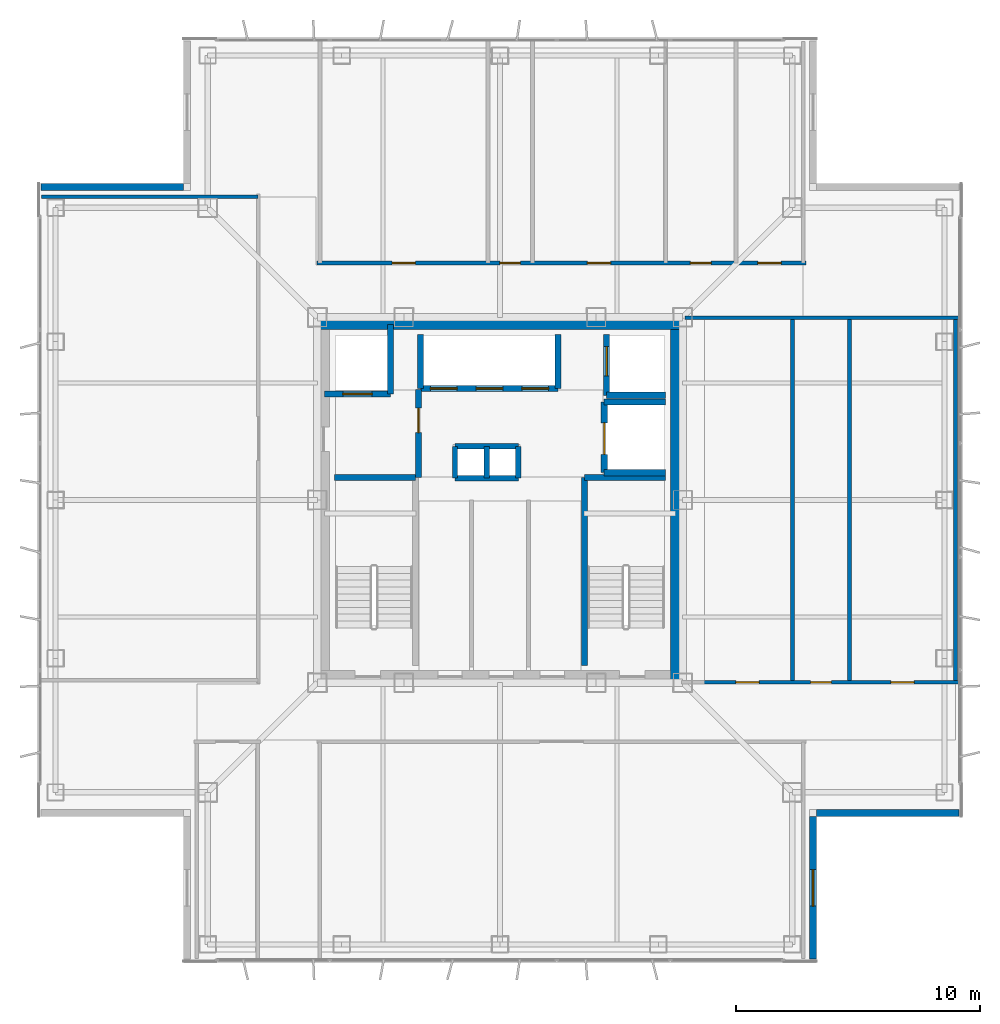
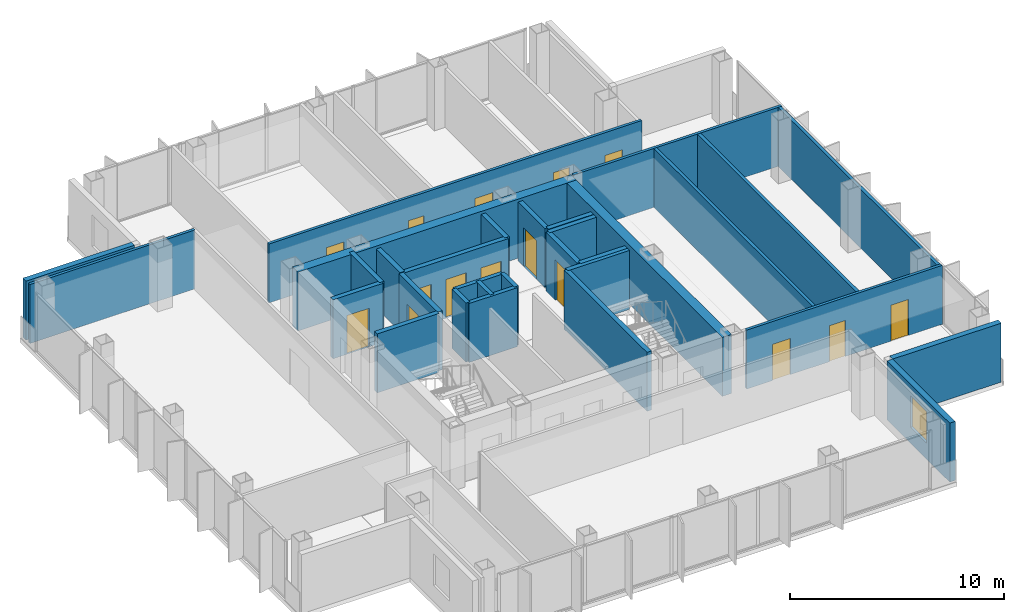
# One storey, part 8 of 15: 31 walls, 15 doors, 1 window, 16 openings.
"""IFC4 building model written with IfcOpenShell, lengths in metres."""

import ifcopenshell
import ifcopenshell.guid

model = None  # the IFC model being written
_history = None  # IfcOwnerHistory: only IFC2X3 demands one
_inside = {}  # id of a spatial element -> (the spatial element, [elements in it])
_under = {}  # id of a project, library or spatial element -> (it, [spatial elements below it])
_declared = {}  # id of a project -> (the project, [libraries it declares])
_typed = {}  # id of a type object -> (the type object, [elements of that type])
_made_of = {}  # id of a material, layer set ... -> (it, [elements and type objects made of it])


def new_model(schema):
    """Start an empty IFC model of exactly this schema.

    Asked for "IFC4X3", IfcOpenShell would pick the latest addendum, in which some entities
    have other attributes; the version numbers below select the first issue.
    IFC2X3 requires an IfcOwnerHistory on every rooted entity: one is made here for all.
    """
    global model, _history
    if schema == "IFC4X3":
        model = ifcopenshell.file(schema_version=(4, 3, 0, 0))
    else:
        model = ifcopenshell.file(schema=schema)
    _inside.clear()
    _under.clear()
    _declared.clear()
    _typed.clear()
    _made_of.clear()
    _history = None
    if model.schema == "IFC2X3":
        org = make("IfcOrganization", Name="unknown")
        user = make(
            "IfcPersonAndOrganization",
            ThePerson=make("IfcPerson", FamilyName="unknown"),
            TheOrganization=org,
        )
        app = make(
            "IfcApplication",
            ApplicationDeveloper=org,
            Version="unknown",
            ApplicationFullName="unknown",
            ApplicationIdentifier="unknown",
        )
        _history = make(
            "IfcOwnerHistory",
            OwningUser=user,
            OwningApplication=app,
            ChangeAction="ADDED",
            CreationDate=0,
        )
    return model


def make(cls, **values):
    """One entity of the class cls with the attributes given. An attribute that is None is left unset."""
    return model.create_entity(
        cls, **{name: value for name, value in values.items() if value is not None}
    )


def rooted(cls, **values):
    """An entity with a GlobalId (a new one), such as an element, a storey or a relation."""
    return make(cls, GlobalId=ifcopenshell.guid.new(), OwnerHistory=_history, **values)


def si_unit(unit_type, name, prefix=None):
    """IfcSIUnit, for example si_unit("LENGTHUNIT", "METRE", prefix="MILLI")."""
    return make("IfcSIUnit", UnitType=unit_type, Prefix=prefix, Name=name)


def assignment(units):
    """IfcUnitAssignment: the units of a project."""
    return None if units is None else make("IfcUnitAssignment", Units=units)


def point(xyz):
    """IfcCartesianPoint."""
    return None if xyz is None else make("IfcCartesianPoint", Coordinates=xyz)


def direction(xyz):
    """IfcDirection."""
    return None if xyz is None else make("IfcDirection", DirectionRatios=xyz)


def frame(location, z_axis=None, x_axis=None):
    """IfcAxis2Placement3D, a coordinate frame: its origin and axes. An axis left out is left unset."""
    return make(
        "IfcAxis2Placement3D",
        Location=point(location),
        Axis=direction(z_axis),
        RefDirection=direction(x_axis),
    )


def frame_2d(location, x_axis=None):
    """IfcAxis2Placement2D, a coordinate frame in the plane: its origin and x axis."""
    return make(
        "IfcAxis2Placement2D", Location=point(location), RefDirection=direction(x_axis)
    )


def origin():
    """The frame at (0, 0, 0) with its axes left unset."""
    return frame((0.0, 0.0, 0.0))


def place(relative_to, where):
    """IfcLocalPlacement: puts the frame where relative to a parent placement (None: the world)."""
    return make(
        "IfcLocalPlacement", PlacementRelTo=relative_to, RelativePlacement=where
    )


def context(
    kind, dimensions, precision=None, world=None, true_north=None, identifier=None
):
    """IfcGeometricRepresentationContext, for example the 3D "Model" context."""
    return make(
        "IfcGeometricRepresentationContext",
        ContextIdentifier=identifier,
        ContextType=kind,
        CoordinateSpaceDimension=dimensions,
        Precision=precision,
        WorldCoordinateSystem=world,
        TrueNorth=true_north,
    )


def subcontext(parent, identifier, kind, view, scale=None):
    """IfcGeometricRepresentationSubContext, for example "Body" below "Model"."""
    return make(
        "IfcGeometricRepresentationSubContext",
        ContextIdentifier=identifier,
        ContextType=kind,
        ParentContext=parent,
        TargetScale=scale,
        TargetView=view,
    )


def project(units=None, contexts=None):
    """IfcProject with its units and contexts."""
    return rooted(
        "IfcProject",
        Name="project",
        RepresentationContexts=contexts,
        UnitsInContext=assignment(units),
    )


def spatial(cls, under=None, at=None, **own):
    """A site, building, storey or space (cls), placed at a placement, below another one or the project."""
    s = rooted(cls, ObjectPlacement=at, **own)
    if under is not None:
        _under.setdefault(under.id(), (under, []))[1].append(s)
    return s


def profile(cls, at=None, kind="AREA", **sizes):
    """A parametric profile (cls). Its sizes go by their IFC names, for example OverallWidth=200.0."""
    return make(cls, ProfileType=kind, Position=at, **sizes)


def rectangle(**sizes):
    """IfcRectangleProfileDef."""
    return profile("IfcRectangleProfileDef", **sizes)


def extrude(swept, where, along, depth):
    """IfcExtrudedAreaSolid: the profile swept, set in the frame where, extruded along a direction by depth."""
    return make(
        "IfcExtrudedAreaSolid",
        SweptArea=swept,
        Position=where,
        ExtrudedDirection=direction(along),
        Depth=depth,
    )


def shape(context_of_items, identifier, shape_type, items):
    """IfcShapeRepresentation: the items that make up one representation, for example the "Body"."""
    return make(
        "IfcShapeRepresentation",
        ContextOfItems=context_of_items,
        RepresentationIdentifier=identifier,
        RepresentationType=shape_type,
        Items=items,
    )


def material(Name=None, Category=None):
    """IfcMaterial."""
    return make("IfcMaterial", Name=Name, Category=Category)


def layer(
    of_material, thickness, ventilated=None, Name=None, Category=None, Priority=None
):
    """IfcMaterialLayer: one layer of a wall or slab, of a material (None: an air gap)."""
    return make(
        "IfcMaterialLayer",
        Material=of_material,
        LayerThickness=thickness,
        IsVentilated=ventilated,
        Name=Name,
        Category=Category,
        Priority=Priority,
    )


def layer_set(layers, Name=None):
    """IfcMaterialLayerSet."""
    return make("IfcMaterialLayerSet", MaterialLayers=layers, LayerSetName=Name)


def made_of(thing, what):
    """Note that an element or type object is made of a material, layer set ...; save() writes the relation."""
    if what is not None:
        _made_of.setdefault(what.id(), (what, []))[1].append(thing)
    return thing


def type_object(cls, material=None, **own):
    """A type object (cls), such as IfcWallType, which elements share."""
    return made_of(rooted(cls, **own), material)


def element(
    cls,
    number,
    at=None,
    inside=None,
    cuts=None,
    type_object=None,
    material=None,
    context=None,
    identifier="Body",
    shape_type=None,
    held_by="IfcProductDefinitionShape",
    body=None,
    shapes=None,
    **own,
):
    """One element of the class cls, such as IfcWall. Its Tag is "e" and its number.

    at: its placement. inside: the storey or other place that contains it. cuts: it is an
    opening in that element (IfcRelVoidsElement). A single representation is given by context,
    identifier, shape_type and body (its items); several are given by shapes. held_by: the class
    of the entity that holds the representations. save() writes the other relations.
    """
    e = rooted(cls, Tag="e%d" % number, ObjectPlacement=at, **own)
    if body is not None:
        shapes = [shape(context, identifier, shape_type, body)]
    if shapes is not None:
        e.Representation = make(held_by, Representations=shapes)
    if inside is not None:
        _inside.setdefault(inside.id(), (inside, []))[1].append(e)
    if cuts is not None:
        rooted(
            "IfcRelVoidsElement", RelatingBuildingElement=cuts, RelatedOpeningElement=e
        )
    if type_object is not None:
        _typed.setdefault(type_object.id(), (type_object, []))[1].append(e)
    return made_of(e, material)


def fill(opening, filler):
    """IfcRelFillsElement: the door or window that sits in an opening."""
    return rooted(
        "IfcRelFillsElement",
        RelatingOpeningElement=opening,
        RelatedBuildingElement=filler,
    )


def aggregate(whole, parts):
    """IfcRelAggregates: a whole, such as a stair, and the parts it consists of."""
    return rooted("IfcRelAggregates", RelatingObject=whole, RelatedObjects=parts)


def save(model, path):
    """Write the relations noted so far, then the file.

    IfcRelAggregates (storeys below a building ...), IfcRelContainedInSpatialStructure (elements
    in a storey), IfcRelDefinesByType, IfcRelAssociatesMaterial and IfcRelDeclares: one each for
    every whole, place, type object, material and project.
    """
    for whole, parts in _under.values():
        aggregate(whole, parts)
    for where, things in _inside.values():
        rooted(
            "IfcRelContainedInSpatialStructure",
            RelatedElements=things,
            RelatingStructure=where,
        )
    for kind, things in _typed.values():
        rooted("IfcRelDefinesByType", RelatedObjects=things, RelatingType=kind)
    for what, things in _made_of.values():
        rooted("IfcRelAssociatesMaterial", RelatedObjects=things, RelatingMaterial=what)
    for by, libraries in _declared.values():
        rooted("IfcRelDeclares", RelatingContext=by, RelatedDefinitions=libraries)
    model.write(path)


model = new_model("IFC4")

# Units and contexts
model_context = context("Model", 3, precision=1e-05, world=origin(), true_north=direction((0.0, 1.0)))
body_context = subcontext(model_context, "Body", "Model", "MODEL_VIEW")
ifc_project = project(units=[si_unit("LENGTHUNIT", "METRE"), si_unit("AREAUNIT", "SQUARE_METRE"), si_unit("VOLUMEUNIT", "CUBIC_METRE"), si_unit("PLANEANGLEUNIT", "RADIAN"), si_unit("MASSUNIT", "GRAM", prefix="KILO")], contexts=[model_context])

# Site, building, storey
site_placement = place(None, origin())
site = spatial("IfcSite", under=ifc_project, at=site_placement, CompositionType="ELEMENT")
building_placement = place(site_placement, origin())
building = spatial("IfcBuilding", under=site, at=building_placement, Name="Trevonay Congress Spire", CompositionType="ELEMENT")
storey_placement = place(building_placement, frame((0.0, 0.0, 250.39990234375)))
storey = spatial("IfcBuildingStorey", under=building, at=storey_placement, Name="L65", CompositionType="ELEMENT", Elevation=250.39990234375)

# Walls
ifc_material_1 = material(Name="Concrete C50/60", Category="concrete")
ifc_layer_1 = layer(ifc_material_1, 0.5, Name="Concrete C50/60")
ifc_layer_set_1 = layer_set([ifc_layer_1], Name="Concrete C50/60")
wall_type_1 = type_object("IfcWallType", Name="WAL-CORE-500", PredefinedType="SHEAR", material=ifc_layer_set_1)
for number, where, z_axis, x_axis, name in (
    (1, (-7.5, 7.25, 0.0), (0.0, 0.0, 1.0), (1.0, 0.0, 0.0), "L65 North structural core shear wall"),
    (2, (7.25, -7.5, 0.0), (0.0, 0.0, 1.0), (0.0, 1.0, 0.0), "L65 East structural core shear wall"),
):
    element("IfcWall", number, at=place(storey_placement, frame(where, z_axis=z_axis, x_axis=x_axis)), inside=storey, type_object=wall_type_1, Name=name, PredefinedType="SHEAR", context=body_context, shape_type="SweptSolid", body=[
        extrude(rectangle(XDim=15.0, YDim=0.5, at=frame_2d((7.5, 0.0))), origin(), (0.0, 0.0, 1.0), 3.360107421875),
    ])

# Wall, openings, doors
ifc_material_2 = material(Name="Concrete C40/50", Category="concrete")
ifc_layer_2 = layer(ifc_material_2, 0.14990234375, Name="Concrete C40/50")
ifc_layer_set_2 = layer_set([ifc_layer_2], Name="Concrete C40/50")
wall_type_2 = type_object("IfcWallType", Name="WAL-CORR-150", PredefinedType="PARTITIONING", material=ifc_layer_set_2)
wall_1_placement = place(storey_placement, frame((-7.52001953125, 9.72998046875, 0.0), z_axis=(0.0, 0.0, 1.0), x_axis=(1.0, 0.0, 0.0)))
wall_1 = element("IfcWall", 3, at=wall_1_placement, inside=storey, type_object=wall_type_2, Name="L65 interior wall WP-L65N-COR", PredefinedType="PARTITIONING", context=body_context, shape_type="SweptSolid", body=[
    extrude(rectangle(XDim=20.090087890625, YDim=0.14990234375, at=frame_2d((10.044921875, 0.0))), origin(), (0.0, 0.0, 1.0), 3.360107421875),
])
opening_1_placement = place(wall_1_placement, frame((3.094970703125, 0.0, 0.0)))
opening_1 = element("IfcOpeningElement", 4, at=opening_1_placement, cuts=wall_1, Name="Opening D07", PredefinedType="OPENING", context=body_context, shape_type="SweptSolid", body=[
    extrude(rectangle(XDim=0.949951171875, YDim=2.06005859375, at=frame_2d((0.47509765625, 1.030029296875))), frame((0.0, 0.0849609375, 0.0), z_axis=(0.0, -1.0, 0.0), x_axis=(1.0, 0.0, 0.0)), (0.0, 0.0, 1.0), 0.169921875),
])
opening_2_placement = place(wall_1_placement, frame((7.510009765625, 0.0, 0.0)))
opening_2 = element("IfcOpeningElement", 5, at=opening_2_placement, cuts=wall_1, Name="Opening D10", PredefinedType="OPENING", context=body_context, shape_type="SweptSolid", body=[
    extrude(rectangle(XDim=0.85009765625, YDim=2.050048828125, at=frame_2d((0.425048828125, 1.02490234375))), frame((0.0, 0.0849609375, 0.0), z_axis=(0.0, -1.0, 0.0), x_axis=(1.0, 0.0, 0.0)), (0.0, 0.0, 1.0), 0.169921875),
])
opening_3_placement = place(wall_1_placement, frame((11.110107421875, 0.0, 0.0)))
opening_3 = element("IfcOpeningElement", 6, at=opening_3_placement, cuts=wall_1, Name="Opening D07", PredefinedType="OPENING", context=body_context, shape_type="SweptSolid", body=[
    extrude(rectangle(XDim=0.949951171875, YDim=2.06005859375, at=frame_2d((0.47509765625, 1.030029296875))), frame((0.0, 0.0849609375, 0.0), z_axis=(0.0, -1.0, 0.0), x_axis=(1.0, 0.0, 0.0)), (0.0, 0.0, 1.0), 0.169921875),
])
opening_4_placement = place(wall_1_placement, frame((15.3349609375, 0.0, 0.0)))
opening_4 = element("IfcOpeningElement", 7, at=opening_4_placement, cuts=wall_1, Name="Opening D10", PredefinedType="OPENING", context=body_context, shape_type="SweptSolid", body=[
    extrude(rectangle(XDim=0.85009765625, YDim=2.050048828125, at=frame_2d((0.425048828125, 1.02490234375))), frame((0.0, 0.0849609375, 0.0), z_axis=(0.0, -1.0, 0.0), x_axis=(1.0, 0.0, 0.0)), (0.0, 0.0, 1.0), 0.169921875),
])
opening_5_placement = place(wall_1_placement, frame((18.110107421875, 0.0, 0.0)))
opening_5 = element("IfcOpeningElement", 8, at=opening_5_placement, cuts=wall_1, Name="Opening D07", PredefinedType="OPENING", context=body_context, shape_type="SweptSolid", body=[
    extrude(rectangle(XDim=0.949951171875, YDim=2.06005859375, at=frame_2d((0.47509765625, 1.030029296875))), frame((0.0, 0.0849609375, 0.0), z_axis=(0.0, -1.0, 0.0), x_axis=(1.0, 0.0, 0.0)), (0.0, 0.0, 1.0), 0.169921875),
])
ifc_material_3 = material(Name="Pale Anodised Aluminium EN AW-6063-T6", Category="aluminium")
door_type_1 = type_object("IfcDoorType", Name="DOR-OFFICE-95", OperationType="NOTDEFINED", PredefinedType="DOOR", material=ifc_material_3)
door_1_placement = place(opening_1_placement, origin())
door_1 = element("IfcDoor", 9, at=door_1_placement, inside=storey, type_object=door_type_1, Name="L65 Simultaneous Translation Office Door", OperationType="SINGLE_SWING_LEFT", OverallHeight=2.06005859375, OverallWidth=0.949951171875, PredefinedType="DOOR", context=body_context, shape_type="SweptSolid", body=[
    extrude(rectangle(XDim=0.949951171875, YDim=2.06005859375, at=frame_2d((0.47509765625, 1.030029296875))), frame((0.0, 0.02490234375, 0.0), z_axis=(0.0, -1.0, 0.0), x_axis=(1.0, 0.0, 0.0)), (0.0, 0.0, 1.0), 0.050048828125),
])
fill(opening_1, door_1)
door_2_placement = place(opening_3_placement, origin())
door_2 = element("IfcDoor", 10, at=door_2_placement, inside=storey, type_object=door_type_1, Name="L65 Floor Supplies and Copy Room Door", OperationType="SINGLE_SWING_LEFT", OverallHeight=2.06005859375, OverallWidth=0.949951171875, PredefinedType="DOOR", context=body_context, shape_type="SweptSolid", body=[
    extrude(rectangle(XDim=0.949951171875, YDim=2.06005859375, at=frame_2d((0.47509765625, 1.030029296875))), frame((0.0, 0.02490234375, 0.0), z_axis=(0.0, -1.0, 0.0), x_axis=(1.0, 0.0, 0.0)), (0.0, 0.0, 1.0), 0.050048828125),
])
fill(opening_3, door_2)
door_3_placement = place(opening_5_placement, origin())
door_3 = element("IfcDoor", 11, at=door_3_placement, inside=storey, type_object=door_type_1, Name="L65 Floor Supplies and Copy Room Door", OperationType="SINGLE_SWING_LEFT", OverallHeight=2.06005859375, OverallWidth=0.949951171875, PredefinedType="DOOR", context=body_context, shape_type="SweptSolid", body=[
    extrude(rectangle(XDim=0.949951171875, YDim=2.06005859375, at=frame_2d((0.47509765625, 1.030029296875))), frame((0.0, 0.02490234375, 0.0), z_axis=(0.0, -1.0, 0.0), x_axis=(1.0, 0.0, 0.0)), (0.0, 0.0, 1.0), 0.050048828125),
])
fill(opening_5, door_3)
door_type_2 = type_object("IfcDoorType", Name="DOR-WC-85", OperationType="NOTDEFINED", PredefinedType="DOOR", material=ifc_material_3)
door_4_placement = place(opening_2_placement, origin())
door_4 = element("IfcDoor", 12, at=door_4_placement, inside=storey, type_object=door_type_2, Name="L65 Accessible WC Door", OperationType="SINGLE_SWING_RIGHT", OverallHeight=2.050048828125, OverallWidth=0.85009765625, PredefinedType="DOOR", context=body_context, shape_type="SweptSolid", body=[
    extrude(rectangle(XDim=0.85009765625, YDim=2.050048828125, at=frame_2d((0.425048828125, 1.02490234375))), frame((0.0, 0.02490234375, 0.0), z_axis=(0.0, -1.0, 0.0), x_axis=(1.0, 0.0, 0.0)), (0.0, 0.0, 1.0), 0.050048828125),
])
fill(opening_2, door_4)
door_5_placement = place(opening_4_placement, origin())
door_5 = element("IfcDoor", 13, at=door_5_placement, inside=storey, type_object=door_type_2, Name="L65 Female Restroom WC Door", OperationType="SINGLE_SWING_RIGHT", OverallHeight=2.050048828125, OverallWidth=0.85009765625, PredefinedType="DOOR", context=body_context, shape_type="SweptSolid", body=[
    extrude(rectangle(XDim=0.85009765625, YDim=2.050048828125, at=frame_2d((0.425048828125, 1.02490234375))), frame((0.0, 0.02490234375, 0.0), z_axis=(0.0, -1.0, 0.0), x_axis=(1.0, 0.0, 0.0)), (0.0, 0.0, 1.0), 0.050048828125),
])
fill(opening_4, door_5)

wall_2_placement = place(storey_placement, frame((8.280029296875, -7.47998046875, 0.0), z_axis=(0.0, 0.0, 1.0), x_axis=(1.0, 0.0, 0.0)))
wall_2 = element("IfcWall", 14, at=wall_2_placement, inside=storey, type_object=wall_type_2, Name="L65 interior wall WP-L65E-COR", PredefinedType="PARTITIONING", context=body_context, shape_type="SweptSolid", body=[
    extrude(rectangle(XDim=10.5400390625, YDim=0.14990234375, at=frame_2d((5.27001953125, 0.0))), origin(), (0.0, 0.0, 1.0), 3.360107421875),
])
opening_6_placement = place(wall_2_placement, frame((1.405029296875, 0.0, 0.0)))
opening_6 = element("IfcOpeningElement", 15, at=opening_6_placement, cuts=wall_2, Name="Opening D07", PredefinedType="OPENING", context=body_context, shape_type="SweptSolid", body=[
    extrude(rectangle(XDim=0.949951171875, YDim=2.06005859375, at=frame_2d((0.47509765625, 1.030029296875))), frame((0.0, 0.0849609375, 0.0), z_axis=(0.0, -1.0, 0.0), x_axis=(1.0, 0.0, 0.0)), (0.0, 0.0, 1.0), 0.169921875),
])
opening_7_placement = place(wall_2_placement, frame((4.469970703125, 0.0, 0.0)))
opening_7 = element("IfcOpeningElement", 16, at=opening_7_placement, cuts=wall_2, Name="Opening D10", PredefinedType="OPENING", context=body_context, shape_type="SweptSolid", body=[
    extrude(rectangle(XDim=0.85009765625, YDim=2.050048828125, at=frame_2d((0.425048828125, 1.02490234375))), frame((0.0, 0.0849609375, 0.0), z_axis=(0.0, -1.0, 0.0), x_axis=(1.0, 0.0, 0.0)), (0.0, 0.0, 1.0), 0.169921875),
])
opening_8_placement = place(wall_2_placement, frame((7.77001953125, 0.0, 0.0)))
opening_8 = element("IfcOpeningElement", 17, at=opening_8_placement, cuts=wall_2, Name="Opening D07", PredefinedType="OPENING", context=body_context, shape_type="SweptSolid", body=[
    extrude(rectangle(XDim=0.949951171875, YDim=2.06005859375, at=frame_2d((0.47509765625, 1.030029296875))), frame((0.0, 0.0849609375, 0.0), z_axis=(0.0, -1.0, 0.0), x_axis=(1.0, 0.0, 0.0)), (0.0, 0.0, 1.0), 0.169921875),
])
door_6_placement = place(opening_6_placement, origin())
door_6 = element("IfcDoor", 18, at=door_6_placement, inside=storey, type_object=door_type_1, Name="L65 Delegate Coffee Pantry Door", OperationType="SINGLE_SWING_RIGHT", OverallHeight=2.06005859375, OverallWidth=0.949951171875, PredefinedType="DOOR", context=body_context, shape_type="SweptSolid", body=[
    extrude(rectangle(XDim=0.949951171875, YDim=2.06005859375, at=frame_2d((0.47509765625, 1.030029296875))), frame((0.0, 0.02490234375, 0.0), z_axis=(0.0, -1.0, 0.0), x_axis=(1.0, 0.0, 0.0)), (0.0, 0.0, 1.0), 0.050048828125),
])
fill(opening_6, door_6)
door_7_placement = place(opening_8_placement, origin())
door_7 = element("IfcDoor", 19, at=door_7_placement, inside=storey, type_object=door_type_1, Name="L65 Floor Supplies and Copy Room Door", OperationType="SINGLE_SWING_RIGHT", OverallHeight=2.06005859375, OverallWidth=0.949951171875, PredefinedType="DOOR", context=body_context, shape_type="SweptSolid", body=[
    extrude(rectangle(XDim=0.949951171875, YDim=2.06005859375, at=frame_2d((0.47509765625, 1.030029296875))), frame((0.0, 0.02490234375, 0.0), z_axis=(0.0, -1.0, 0.0), x_axis=(1.0, 0.0, 0.0)), (0.0, 0.0, 1.0), 0.050048828125),
])
fill(opening_8, door_7)
door_8_placement = place(opening_7_placement, origin())
door_8 = element("IfcDoor", 20, at=door_8_placement, inside=storey, type_object=door_type_2, Name="L65 Male Restroom WC Door", OperationType="SINGLE_SWING_LEFT", OverallHeight=2.050048828125, OverallWidth=0.85009765625, PredefinedType="DOOR", context=body_context, shape_type="SweptSolid", body=[
    extrude(rectangle(XDim=0.85009765625, YDim=2.050048828125, at=frame_2d((0.425048828125, 1.02490234375))), frame((0.0, 0.02490234375, 0.0), z_axis=(0.0, -1.0, 0.0), x_axis=(1.0, 0.0, 0.0)), (0.0, 0.0, 1.0), 0.050048828125),
])
fill(opening_7, door_8)

# Wall, opening, window
ifc_material_4 = material(Name="Precast concrete C40/50", Category="concrete")
ifc_layer_3 = layer(ifc_material_4, 0.300048828125, Name="Precast concrete C40/50")
ifc_layer_set_3 = layer_set([ifc_layer_3], Name="Precast concrete C40/50")
wall_type_3 = type_object("IfcWallType", Name="WAL-EXT-PRECAST-300", PredefinedType="SOLIDWALL", material=ifc_layer_set_3)
wall_3_placement = place(storey_placement, frame((12.85009765625, -18.85009765625, 0.0), z_axis=(0.0, 0.0, 1.0), x_axis=(0.0, 1.0, 0.0)))
wall_3 = element("IfcWall", 21, at=wall_3_placement, inside=storey, type_object=wall_type_3, Name="L65 SE re-entrant notch exterior wall 1", PredefinedType="SOLIDWALL", context=body_context, shape_type="SweptSolid", body=[
    extrude(rectangle(XDim=5.85009765625, YDim=0.300048828125, at=frame_2d((2.925048828125, 0.0))), origin(), (0.0, 0.0, 1.0), 3.360107421875),
])
opening_9_placement = place(wall_3_placement, frame((2.175048828125, 0.0, 0.89990234375)))
opening_9 = element("IfcOpeningElement", 22, at=opening_9_placement, cuts=wall_3, Name="Opening WN03", PredefinedType="OPENING", context=body_context, shape_type="SweptSolid", body=[
    extrude(rectangle(XDim=1.5, YDim=1.800048828125, at=frame_2d((0.75, 0.89990234375))), frame((0.0, 0.16015625, 0.0), z_axis=(0.0, -1.0, 0.0), x_axis=(1.0, 0.0, 0.0)), (0.0, 0.0, 1.0), 0.320068359375),
])
ifc_material_5 = material(Name="Insulated Low-E Vision Glass IGU", Category="glass")
window_type = type_object("IfcWindowType", Name="WIN-NOTCH-150X180", PartitioningType="SINGLE_PANEL", PredefinedType="WINDOW", material=ifc_material_5)
window_placement = place(opening_9_placement, origin())
window = element("IfcWindow", 23, at=window_placement, inside=storey, type_object=window_type, Name="L65 SE corner notch window", OverallHeight=1.800048828125, OverallWidth=1.5, PartitioningType="SINGLE_PANEL", PredefinedType="WINDOW", context=body_context, shape_type="SweptSolid", body=[
    extrude(rectangle(XDim=1.5, YDim=1.800048828125, at=frame_2d((0.75, 0.89990234375))), frame((0.0, 0.030029296875, 0.0), z_axis=(0.0, -1.0, 0.0), x_axis=(1.0, 0.0, 0.0)), (0.0, 0.0, 1.0), 0.06005859375),
])
fill(opening_9, window)

# Walls
for number, where, z_axis, x_axis, name in (
    (24, (18.85009765625, -12.85009765625, 0.0), (0.0, 0.0, 1.0), (-1.0, 0.0, 0.0), "L65 SE re-entrant notch exterior wall 2"),
    (25, (-18.85009765625, 12.85009765625, 0.0), (0.0, 0.0, 1.0), (1.0, 0.0, 0.0), "L65 NW re-entrant notch exterior wall 2"),
):
    element("IfcWall", number, at=place(storey_placement, frame(where, z_axis=z_axis, x_axis=x_axis)), inside=storey, type_object=wall_type_3, Name=name, PredefinedType="SOLIDWALL", context=body_context, shape_type="SweptSolid", body=[
        extrude(rectangle(XDim=5.85009765625, YDim=0.300048828125, at=frame_2d((2.925048828125, 0.0))), origin(), (0.0, 0.0, 1.0), 3.360107421875),
    ])
ifc_layer_4 = layer(ifc_material_2, 0.14990234375, Name="Concrete C40/50")
ifc_layer_set_4 = layer_set([ifc_layer_4], Name="Concrete C40/50")
wall_type_4 = type_object("IfcWallType", Name="WAL-PART-150", PredefinedType="PARTITIONING", material=ifc_layer_set_4)
wall_4_placement = place(storey_placement, frame((-18.820068359375, 12.449951171875, 0.0), z_axis=(0.0, 0.0, 1.0), x_axis=(1.0, 0.0, 0.0)))
element("IfcWall", 26, at=wall_4_placement, inside=storey, type_object=wall_type_4, Name="L65 interior wall WP-L65NW-DIV2", PredefinedType="PARTITIONING", context=body_context, shape_type="SweptSolid", body=[
    extrude(rectangle(XDim=8.89013671875, YDim=0.14990234375, at=frame_2d((4.445068359375, 0.0))), origin(), (0.0, 0.0, 1.0), 3.360107421875),
])
wall_5_placement = place(storey_placement, frame((7.60009765625, 7.47998046875, 0.0), z_axis=(0.0, 0.0, 1.0), x_axis=(1.0, 0.0, 0.0)))
element("IfcWall", 27, at=wall_5_placement, inside=storey, type_object=wall_type_4, Name="L65 interior wall WP-L65E-NCLS", PredefinedType="PARTITIONING", context=body_context, shape_type="SweptSolid", body=[
    extrude(rectangle(XDim=11.219970703125, YDim=0.14990234375, at=frame_2d((5.60986328125, 0.0))), origin(), (0.0, 0.0, 1.0), 3.360107421875),
])
ifc_layer_5 = layer(ifc_material_2, 0.219970703125, Name="Concrete C40/50")
ifc_layer_set_5 = layer_set([ifc_layer_5], Name="Concrete C40/50")
wall_type_5 = type_object("IfcWallType", Name="WAL-SHAFT-220", PredefinedType="PARTITIONING", material=ifc_layer_set_5)
for number, where, z_axis, x_axis, name in (
    (28, (-1.85009765625, 2.199951171875, 0.0), (0.0, 0.0, 1.0), (1.0, 0.0, 0.0), "L65 interior shaft wall WSH-L65-RSR-N"),
    (29, (-1.85009765625, 0.89990234375, 0.0), (0.0, 0.0, 1.0), (1.0, 0.0, 0.0), "L65 interior shaft wall WSH-L65-RSR-S"),
):
    element("IfcWall", number, at=place(storey_placement, frame(where, z_axis=z_axis, x_axis=x_axis)), inside=storey, type_object=wall_type_5, Name=name, PredefinedType="PARTITIONING", context=body_context, shape_type="SweptSolid", body=[
        extrude(rectangle(XDim=2.60009765625, YDim=0.219970703125, at=frame_2d((1.300048828125, 0.0))), origin(), (0.0, 0.0, 1.0), 3.360107421875),
    ])
for number, where, z_axis, x_axis, name in (
    (30, (-0.550048828125, 0.89990234375, 0.0), (0.0, 0.0, 1.0), (0.0, 1.0, 0.0), "L65 interior shaft wall WSH-L65-RSR-M"),
    (31, (0.75, 0.89990234375, 0.0), (0.0, 0.0, 1.0), (0.0, 1.0, 0.0), "L65 interior shaft wall WSH-L65-RSR-E"),
    (32, (-1.85009765625, 0.89990234375, 0.0), (0.0, 0.0, 1.0), (0.0, 1.0, 0.0), "L65 interior shaft wall WSH-L65-RSR-W"),
):
    element("IfcWall", number, at=place(storey_placement, frame(where, z_axis=z_axis, x_axis=x_axis)), inside=storey, type_object=wall_type_5, Name=name, PredefinedType="PARTITIONING", context=body_context, shape_type="SweptSolid", body=[
        extrude(rectangle(XDim=1.300048828125, YDim=0.219970703125, at=frame_2d((0.64990234375, 0.0))), origin(), (0.0, 0.0, 1.0), 3.360107421875),
    ])

# Wall, openings, doors
ifc_layer_6 = layer(ifc_material_2, 0.25, Name="Concrete C40/50")
ifc_layer_set_6 = layer_set([ifc_layer_6], Name="Concrete C40/50")
wall_type_6 = type_object("IfcWallType", Name="WAL-SHAFT-250", PredefinedType="SHEAR", material=ifc_layer_set_6)
wall_6_placement = place(storey_placement, frame((-3.260009765625, 4.580078125, 0.0), z_axis=(0.0, 0.0, 1.0), x_axis=(1.0, 0.0, 0.0)))
wall_6 = element("IfcWall", 33, at=wall_6_placement, inside=storey, type_object=wall_type_6, Name="L65 interior shaft wall WSH-L65-B3-S", PredefinedType="SHEAR", context=body_context, shape_type="SweptSolid", body=[
    extrude(rectangle(XDim=5.639892578125, YDim=0.25, at=frame_2d((2.81982421875, 0.0))), origin(), (0.0, 0.0, 1.0), 3.360107421875),
])
opening_10_placement = place(wall_6_placement, frame((0.39990234375, 0.0, 0.0)))
opening_10 = element("IfcOpeningElement", 34, at=opening_10_placement, cuts=wall_6, Name="Opening LD03", PredefinedType="OPENING", context=body_context, shape_type="SweptSolid", body=[
    extrude(rectangle(XDim=1.10009765625, YDim=2.199951171875, at=frame_2d((0.550048828125, 1.10009765625))), frame((0.0, 0.135009765625, 0.0), z_axis=(0.0, -1.0, 0.0), x_axis=(1.0, 0.0, 0.0)), (0.0, 0.0, 1.0), 0.27001953125),
])
opening_11_placement = place(wall_6_placement, frame((2.280029296875, 0.0, 0.0)))
opening_11 = element("IfcOpeningElement", 35, at=opening_11_placement, cuts=wall_6, Name="Opening LD03", PredefinedType="OPENING", context=body_context, shape_type="SweptSolid", body=[
    extrude(rectangle(XDim=1.10009765625, YDim=2.199951171875, at=frame_2d((0.550048828125, 1.10009765625))), frame((0.0, 0.135009765625, 0.0), z_axis=(0.0, -1.0, 0.0), x_axis=(1.0, 0.0, 0.0)), (0.0, 0.0, 1.0), 0.27001953125),
])
opening_12_placement = place(wall_6_placement, frame((4.159912109375, 0.0, 0.0)))
opening_12 = element("IfcOpeningElement", 36, at=opening_12_placement, cuts=wall_6, Name="Opening LD03", PredefinedType="OPENING", context=body_context, shape_type="SweptSolid", body=[
    extrude(rectangle(XDim=1.10009765625, YDim=2.199951171875, at=frame_2d((0.550048828125, 1.10009765625))), frame((0.0, 0.135009765625, 0.0), z_axis=(0.0, -1.0, 0.0), x_axis=(1.0, 0.0, 0.0)), (0.0, 0.0, 1.0), 0.27001953125),
])
door_type_3 = type_object("IfcDoorType", Name="DOR-LIFT-LD03", OperationType="DOUBLE_DOOR_SLIDING", PredefinedType="DOOR", material=ifc_material_3)
door_9_placement = place(opening_10_placement, origin())
door_9 = element("IfcDoor", 37, at=door_9_placement, inside=storey, type_object=door_type_3, Name="L65 Passenger lift PL-07 landing door", OperationType="DOUBLE_DOOR_SLIDING", OverallHeight=2.199951171875, OverallWidth=1.10009765625, PredefinedType="DOOR", context=body_context, shape_type="SweptSolid", body=[
    extrude(rectangle(XDim=1.10009765625, YDim=2.199951171875, at=frame_2d((0.550048828125, 1.10009765625))), frame((0.0, 0.02490234375, 0.0), z_axis=(0.0, -1.0, 0.0), x_axis=(1.0, 0.0, 0.0)), (0.0, 0.0, 1.0), 0.050048828125),
])
fill(opening_10, door_9)
door_10_placement = place(opening_11_placement, origin())
door_10 = element("IfcDoor", 38, at=door_10_placement, inside=storey, type_object=door_type_3, Name="L65 Passenger lift PL-08 landing door", OperationType="DOUBLE_DOOR_SLIDING", OverallHeight=2.199951171875, OverallWidth=1.10009765625, PredefinedType="DOOR", context=body_context, shape_type="SweptSolid", body=[
    extrude(rectangle(XDim=1.10009765625, YDim=2.199951171875, at=frame_2d((0.550048828125, 1.10009765625))), frame((0.0, 0.02490234375, 0.0), z_axis=(0.0, -1.0, 0.0), x_axis=(1.0, 0.0, 0.0)), (0.0, 0.0, 1.0), 0.050048828125),
])
fill(opening_11, door_10)
door_11_placement = place(opening_12_placement, origin())
door_11 = element("IfcDoor", 39, at=door_11_placement, inside=storey, type_object=door_type_3, Name="L65 Passenger lift PL-09 landing door", OperationType="DOUBLE_DOOR_SLIDING", OverallHeight=2.199951171875, OverallWidth=1.10009765625, PredefinedType="DOOR", context=body_context, shape_type="SweptSolid", body=[
    extrude(rectangle(XDim=1.10009765625, YDim=2.199951171875, at=frame_2d((0.550048828125, 1.10009765625))), frame((0.0, 0.02490234375, 0.0), z_axis=(0.0, -1.0, 0.0), x_axis=(1.0, 0.0, 0.0)), (0.0, 0.0, 1.0), 0.050048828125),
])
fill(opening_12, door_11)

# Walls
for number, where, z_axis, x_axis, name in (
    (40, (-3.260009765625, 4.580078125, 0.0), (0.0, 0.0, 1.0), (0.0, 1.0, 0.0), "L65 interior shaft wall WSH-L65-B3-W"),
    (41, (2.3798828125, 4.580078125, 0.0), (0.0, 0.0, 1.0), (0.0, 1.0, 0.0), "L65 interior shaft wall WSH-L65-B3-E"),
):
    element("IfcWall", number, at=place(storey_placement, frame(where, z_axis=z_axis, x_axis=x_axis)), inside=storey, type_object=wall_type_6, Name=name, PredefinedType="SHEAR", context=body_context, shape_type="SweptSolid", body=[
        extrude(rectangle(XDim=2.219970703125, YDim=0.25, at=frame_2d((1.10986328125, 0.0))), origin(), (0.0, 0.0, 1.0), 3.360107421875),
    ])

# Wall, opening, door
wall_7_placement = place(storey_placement, frame((-7.199951171875, 4.35009765625, 0.0), z_axis=(0.0, 0.0, 1.0), x_axis=(1.0, 0.0, 0.0)))
wall_7 = element("IfcWall", 42, at=wall_7_placement, inside=storey, type_object=wall_type_6, Name="L65 interior shaft wall WSH-L65-FF1-S", PredefinedType="SHEAR", context=body_context, shape_type="SweptSolid", body=[
    extrude(rectangle(XDim=2.699951171875, YDim=0.25, at=frame_2d((1.35009765625, 0.0))), origin(), (0.0, 0.0, 1.0), 3.360107421875),
])
opening_13_placement = place(wall_7_placement, frame((0.75, 0.0, 0.0)))
opening_13 = element("IfcOpeningElement", 43, at=opening_13_placement, cuts=wall_7, Name="Opening LD04", PredefinedType="OPENING", context=body_context, shape_type="SweptSolid", body=[
    extrude(rectangle(XDim=1.199951171875, YDim=2.199951171875, at=frame_2d((0.60009765625, 1.10009765625))), frame((0.0, 0.135009765625, 0.0), z_axis=(0.0, -1.0, 0.0), x_axis=(1.0, 0.0, 0.0)), (0.0, 0.0, 1.0), 0.27001953125),
])
ifc_material_6 = material(Name="Steel ASTM A572 Grade 50", Category="steel")
door_type_4 = type_object("IfcDoorType", Name="DOR-LIFT-LD04", OperationType="DOUBLE_DOOR_SLIDING", PredefinedType="DOOR", material=ifc_material_6)
door_12_placement = place(opening_13_placement, origin())
door_12 = element("IfcDoor", 44, at=door_12_placement, inside=storey, type_object=door_type_4, Name="L65 Firefighting lift FFL-01 landing door", OperationType="DOUBLE_DOOR_SLIDING", OverallHeight=2.199951171875, OverallWidth=1.199951171875, PredefinedType="DOOR", context=body_context, shape_type="SweptSolid", body=[
    extrude(rectangle(XDim=1.199951171875, YDim=2.199951171875, at=frame_2d((0.60009765625, 1.10009765625))), frame((0.0, 0.02490234375, 0.0), z_axis=(0.0, -1.0, 0.0), x_axis=(1.0, 0.0, 0.0)), (0.0, 0.0, 1.0), 0.050048828125),
])
fill(opening_13, door_12)

# Walls
wall_8_placement = place(storey_placement, frame((-4.5, 4.35009765625, 0.0), z_axis=(0.0, 0.0, 1.0), x_axis=(0.0, 1.0, 0.0)))
element("IfcWall", 45, at=wall_8_placement, inside=storey, type_object=wall_type_6, Name="L65 interior shaft wall WSH-L65-FF1-E", PredefinedType="SHEAR", context=body_context, shape_type="SweptSolid", body=[
    extrude(rectangle(XDim=2.849853515625, YDim=0.25, at=frame_2d((1.4248046875, 0.0))), origin(), (0.0, 0.0, 1.0), 3.360107421875),
])
wall_9_placement = place(storey_placement, frame((4.3798828125, 4.300048828125, 0.0), z_axis=(0.0, 0.0, 1.0), x_axis=(1.0, 0.0, 0.0)))
element("IfcWall", 46, at=wall_9_placement, inside=storey, type_object=wall_type_6, Name="L65 interior shaft wall WSH-L65-FF2-S", PredefinedType="SHEAR", context=body_context, shape_type="SweptSolid", body=[
    extrude(rectangle(XDim=2.420166015625, YDim=0.25, at=frame_2d((1.2099609375, 0.0))), origin(), (0.0, 0.0, 1.0), 3.360107421875),
])

# Wall, opening, door
wall_10_placement = place(storey_placement, frame((4.3798828125, 4.300048828125, 0.0), z_axis=(0.0, 0.0, 1.0), x_axis=(0.0, 1.0, 0.0)))
wall_10 = element("IfcWall", 47, at=wall_10_placement, inside=storey, type_object=wall_type_6, Name="L65 interior shaft wall WSH-L65-FF2-W", PredefinedType="SHEAR", context=body_context, shape_type="SweptSolid", body=[
    extrude(rectangle(XDim=2.5, YDim=0.25, at=frame_2d((1.25, 0.0))), origin(), (0.0, 0.0, 1.0), 3.360107421875),
])
opening_14_placement = place(wall_10_placement, frame((0.800048828125, 0.0, 0.0)))
opening_14 = element("IfcOpeningElement", 48, at=opening_14_placement, cuts=wall_10, Name="Opening LD04", PredefinedType="OPENING", context=body_context, shape_type="SweptSolid", body=[
    extrude(rectangle(XDim=1.199951171875, YDim=2.199951171875, at=frame_2d((0.60009765625, 1.10009765625))), frame((0.0, 0.135009765625, 0.0), z_axis=(0.0, -1.0, 0.0), x_axis=(1.0, 0.0, 0.0)), (0.0, 0.0, 1.0), 0.27001953125),
])
door_13_placement = place(opening_14_placement, origin())
door_13 = element("IfcDoor", 49, at=door_13_placement, inside=storey, type_object=door_type_4, Name="L65 Firefighting lift FFL-02 landing door", OperationType="DOUBLE_DOOR_SLIDING", OverallHeight=2.199951171875, OverallWidth=1.199951171875, PredefinedType="DOOR", context=body_context, shape_type="SweptSolid", body=[
    extrude(rectangle(XDim=1.199951171875, YDim=2.199951171875, at=frame_2d((0.60009765625, 1.10009765625))), frame((0.0, 0.02490234375, 0.0), z_axis=(0.0, -1.0, 0.0), x_axis=(1.0, 0.0, 0.0)), (0.0, 0.0, 1.0), 0.050048828125),
])
fill(opening_14, door_13)

wall_11_placement = place(storey_placement, frame((4.280029296875, 1.1201171875, 0.0), z_axis=(0.0, 0.0, 1.0), x_axis=(0.0, 1.0, 0.0)))
wall_11 = element("IfcWall", 50, at=wall_11_placement, inside=storey, type_object=wall_type_6, Name="L65 interior shaft wall WSH-L65-SV-W", PredefinedType="SHEAR", context=body_context, shape_type="SweptSolid", body=[
    extrude(rectangle(XDim=2.89990234375, YDim=0.25, at=frame_2d((1.449951171875, 0.0))), origin(), (0.0, 0.0, 1.0), 3.360107421875),
])
opening_15_placement = place(wall_11_placement, frame((0.75, 0.0, 0.0)))
opening_15 = element("IfcOpeningElement", 51, at=opening_15_placement, cuts=wall_11, Name="Opening LD05", PredefinedType="OPENING", context=body_context, shape_type="SweptSolid", body=[
    extrude(rectangle(XDim=1.300048828125, YDim=2.300048828125, at=frame_2d((0.64990234375, 1.14990234375))), frame((0.0, 0.135009765625, 0.0), z_axis=(0.0, -1.0, 0.0), x_axis=(1.0, 0.0, 0.0)), (0.0, 0.0, 1.0), 0.27001953125),
])
door_type_5 = type_object("IfcDoorType", Name="DOR-LIFT-LD05", OperationType="DOUBLE_DOOR_SLIDING", PredefinedType="DOOR", material=ifc_material_6)
door_14_placement = place(opening_15_placement, origin())
door_14 = element("IfcDoor", 52, at=door_14_placement, inside=storey, type_object=door_type_5, Name="L65 Goods lift SVL-01 landing door", OperationType="DOUBLE_DOOR_SLIDING", OverallHeight=2.300048828125, OverallWidth=1.300048828125, PredefinedType="DOOR", context=body_context, shape_type="SweptSolid", body=[
    extrude(rectangle(XDim=1.300048828125, YDim=2.300048828125, at=frame_2d((0.64990234375, 1.14990234375))), frame((0.0, 0.02490234375, 0.0), z_axis=(0.0, -1.0, 0.0), x_axis=(1.0, 0.0, 0.0)), (0.0, 0.0, 1.0), 0.050048828125),
])
fill(opening_15, door_14)

# Walls
for number, where, z_axis, x_axis, name in (
    (53, (4.280029296875, 1.1201171875, 0.0), (0.0, 0.0, 1.0), (1.0, 0.0, 0.0), "L65 interior shaft wall WSH-L65-SV-S"),
    (54, (4.280029296875, 4.02001953125, 0.0), (0.0, 0.0, 1.0), (1.0, 0.0, 0.0), "L65 interior shaft wall WSH-L65-SV-N"),
):
    element("IfcWall", number, at=place(storey_placement, frame(where, z_axis=z_axis, x_axis=x_axis)), inside=storey, type_object=wall_type_6, Name=name, PredefinedType="SHEAR", context=body_context, shape_type="SweptSolid", body=[
        extrude(rectangle(XDim=2.52001953125, YDim=0.25, at=frame_2d((1.260009765625, 0.0))), origin(), (0.0, 0.0, 1.0), 3.360107421875),
    ])

# Wall, opening, door
wall_12_placement = place(storey_placement, frame((-3.35009765625, 0.919921875, 0.0), z_axis=(0.0, 0.0, 1.0), x_axis=(0.0, 1.0, 0.0)))
wall_12 = element("IfcWall", 55, at=wall_12_placement, inside=storey, type_object=wall_type_6, Name="L65 interior wall CW-FFLW-E-L65", PredefinedType="SHEAR", context=body_context, shape_type="SweptSolid", body=[
    extrude(rectangle(XDim=3.6201171875, YDim=0.25, at=frame_2d((1.81005859375, 0.0))), origin(), (0.0, 0.0, 1.0), 3.360107421875),
])
opening_16_placement = place(wall_12_placement, frame((1.85009765625, 0.0, 0.0)))
opening_16 = element("IfcOpeningElement", 56, at=opening_16_placement, cuts=wall_12, Name="Opening D06", PredefinedType="OPENING", context=body_context, shape_type="SweptSolid", body=[
    extrude(rectangle(XDim=1.0, YDim=2.080078125, at=frame_2d((0.5, 1.0400390625))), frame((0.0, 0.135009765625, 0.0), z_axis=(0.0, -1.0, 0.0), x_axis=(1.0, 0.0, 0.0)), (0.0, 0.0, 1.0), 0.27001953125),
])
door_type_6 = type_object("IfcDoorType", Name="DOR-FIRE-100", OperationType="NOTDEFINED", PredefinedType="DOOR", material=ifc_material_6)
door_15_placement = place(opening_16_placement, origin())
door_15 = element("IfcDoor", 57, at=door_15_placement, inside=storey, type_object=door_type_6, Name="L65 Firefighting Core Lobby Transfer Door", OperationType="SINGLE_SWING_LEFT", OverallHeight=2.080078125, OverallWidth=1.0, PredefinedType="DOOR", context=body_context, shape_type="SweptSolid", body=[
    extrude(rectangle(XDim=1.0, YDim=2.080078125, at=frame_2d((0.5, 1.0400390625))), frame((0.0, 0.02490234375, 0.0), z_axis=(0.0, -1.0, 0.0), x_axis=(1.0, 0.0, 0.0)), (0.0, 0.0, 1.0), 0.050048828125),
])
fill(opening_16, door_15)

# Walls
ifc_layer_7 = layer(ifc_material_2, 0.25, Name="Concrete C40/50")
ifc_layer_set_7 = layer_set([ifc_layer_7], Name="Concrete C40/50")
wall_type_7 = type_object("IfcWallType", Name="WAL-SHAFT-LB-250", PredefinedType="SHEAR", material=ifc_layer_set_7)
wall_13_placement = place(storey_placement, frame((-6.800048828125, 0.919921875, 0.0), z_axis=(0.0, 0.0, 1.0), x_axis=(1.0, 0.0, 0.0)))
element("IfcWall", 58, at=wall_13_placement, inside=storey, type_object=wall_type_7, Name="L65 interior shaft wall WSH-L65-ST1-N", PredefinedType="SHEAR", context=body_context, shape_type="SweptSolid", body=[
    extrude(rectangle(XDim=3.330078125, YDim=0.25, at=frame_2d((1.6650390625, 0.0))), origin(), (0.0, 0.0, 1.0), 3.360107421875),
])
wall_14_placement = place(storey_placement, frame((3.469970703125, -6.800048828125, 0.0), z_axis=(0.0, 0.0, 1.0), x_axis=(0.0, 1.0, 0.0)))
element("IfcWall", 59, at=wall_14_placement, inside=storey, type_object=wall_type_7, Name="L65 interior shaft wall WSH-L65-ST2-W", PredefinedType="SHEAR", context=body_context, shape_type="SweptSolid", body=[
    extrude(rectangle(XDim=7.719970703125, YDim=0.25, at=frame_2d((3.85986328125, 0.0))), origin(), (0.0, 0.0, 1.0), 3.360107421875),
])
wall_15_placement = place(storey_placement, frame((3.469970703125, 0.919921875, 0.0), z_axis=(0.0, 0.0, 1.0), x_axis=(1.0, 0.0, 0.0)))
element("IfcWall", 60, at=wall_15_placement, inside=storey, type_object=wall_type_7, Name="L65 interior shaft wall WSH-L65-ST2-N", PredefinedType="SHEAR", context=body_context, shape_type="SweptSolid", body=[
    extrude(rectangle(XDim=3.330078125, YDim=0.25, at=frame_2d((1.6650390625, 0.0))), origin(), (0.0, 0.0, 1.0), 3.360107421875),
])
ifc_layer_8 = layer(ifc_material_2, 0.1650390625, Name="Concrete C40/50")
ifc_layer_set_8 = layer_set([ifc_layer_8], Name="Concrete C40/50")
wall_type_8 = type_object("IfcWallType", Name="WAL-WET-165", PredefinedType="PLUMBINGWALL", material=ifc_layer_set_8)
for number, where, z_axis, x_axis, name in (
    (61, (14.35009765625, -7.47998046875, 0.0), (0.0, 0.0, 1.0), (0.0, 1.0, 0.0), "L65 interior wall WP-L65E-WCS2"),
    (62, (12.0, -7.47998046875, 0.0), (0.0, 0.0, 1.0), (0.0, 1.0, 0.0), "L65 interior wall WP-L65E-DIV1"),
    (63, (18.699951171875, -7.47998046875, 0.0), (0.0, 0.0, 1.0), (0.0, 1.0, 0.0), "L65 interior wall WP-L65E-DIV2"),
):
    element("IfcWall", number, at=place(storey_placement, frame(where, z_axis=z_axis, x_axis=x_axis)), inside=storey, type_object=wall_type_8, Name=name, PredefinedType="PLUMBINGWALL", context=body_context, shape_type="SweptSolid", body=[
        extrude(rectangle(XDim=14.89990234375, YDim=0.1650390625, at=frame_2d((7.449951171875, 0.0))), origin(), (0.0, 0.0, 1.0), 3.360107421875),
    ])

save(model, "model.ifc")
